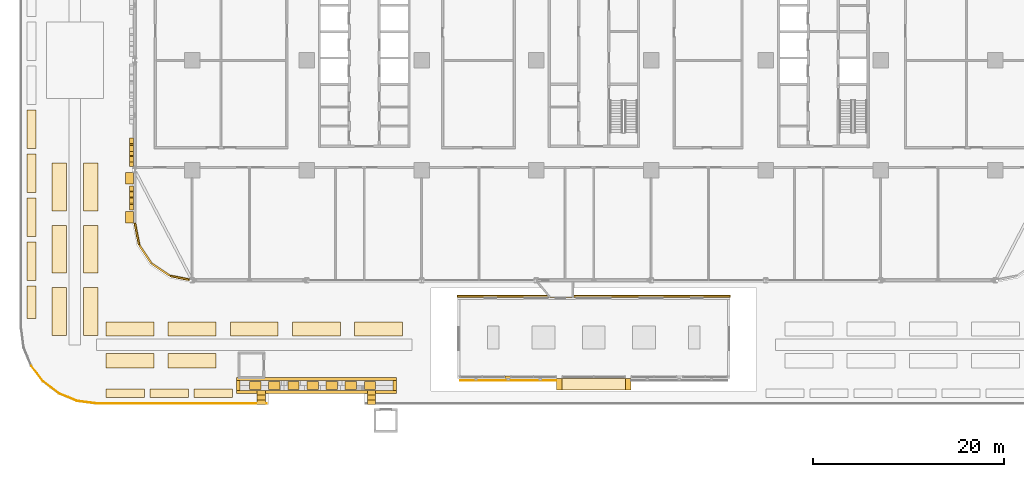
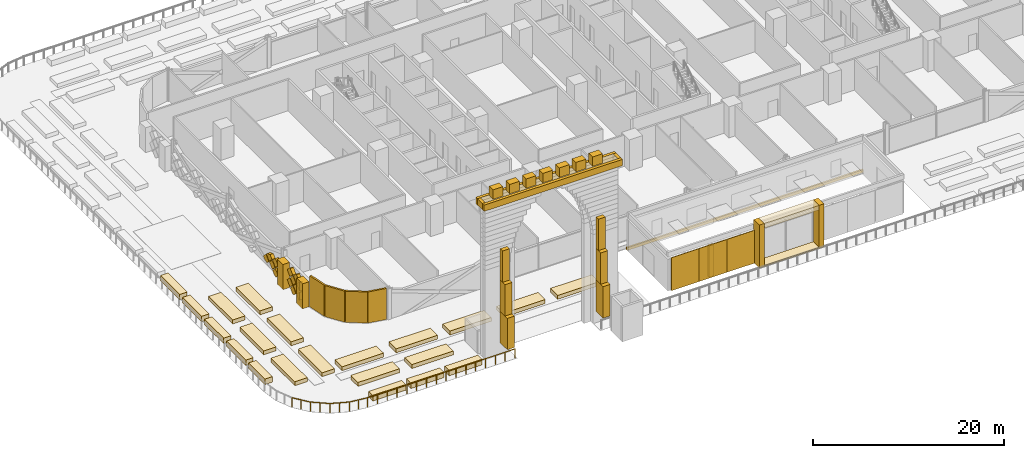
# One storey, part 28 of 39: 66 coverings, 1 railing.
"""IFC4 building model written with IfcOpenShell, lengths in metres."""

from ifc_helpers import new_model, si_unit, direction, frame, origin, origin_2d, place, context, subcontext, project, spatial, polyline, rectangle, circle, outline, extrude, material, layer, layer_set, type_object, element, save


model = new_model("IFC4")

# Units and contexts
model_context = context("Model", 3, precision=1e-05, world=origin(), true_north=direction((0.0, 1.0)))
body_context = subcontext(model_context, "Body", "Model", "MODEL_VIEW")
ifc_project = project(units=[si_unit("LENGTHUNIT", "METRE"), si_unit("AREAUNIT", "SQUARE_METRE"), si_unit("VOLUMEUNIT", "CUBIC_METRE"), si_unit("PLANEANGLEUNIT", "RADIAN"), si_unit("MASSUNIT", "GRAM", prefix="KILO")], contexts=[model_context])

# Site, building, storey
site_placement = place(None, origin())
site = spatial("IfcSite", under=ifc_project, at=site_placement, CompositionType="ELEMENT")
building_placement = place(site_placement, origin())
building = spatial("IfcBuilding", under=site, at=building_placement, Name="Mahtab Terrace Research Tower", CompositionType="ELEMENT")
storey_placement = place(building_placement, frame((0.0, 0.0, 7.199951171875)))
storey = spatial("IfcBuildingStorey", under=building, at=storey_placement, Name="L01", CompositionType="ELEMENT", Elevation=7.199951171875)

# Coverings
ifc_material_1 = material(Name="Black aluminium cladding panel", Category="aluminium")
ifc_layer_1 = layer(ifc_material_1, 0.199951171875)
ifc_layer_set_1 = layer_set([ifc_layer_1], Name="Black metal corner cladding 200")
covering_type_1 = type_object("IfcCoveringType", Name="Black metal corner cladding 200", PredefinedType="CLADDING", material=ifc_layer_set_1)
for number, where, z_axis, x_axis, name in (
    (1, (-47.771484375, -18.14794921875, 0.0), (0.0, 0.0, 1.0), (0.195212442692, -0.980760981187, 0.0), "Corner cladding L01 18"),
    (2, (-46.89306640625, -20.26953125, 0.0), (0.0, 0.0, 1.0), (0.555291490808, -0.831655794326, 0.0), "Corner cladding L01 19"),
    (3, (-45.26953125, -21.89306640625, 0.0), (0.0, 0.0, 1.0), (0.831655794326, -0.555291490808, 0.0), "Corner cladding L01 20"),
):
    element("IfcCovering", number, at=place(storey_placement, frame(where, z_axis=z_axis, x_axis=x_axis)), inside=storey, type_object=covering_type_1, Name=name, PredefinedType="CLADDING", context=body_context, shape_type="SweptSolid", body=[
        extrude(rectangle(XDim=2.30126953125, YDim=0.199951171875, at=origin_2d()), origin(), (0.0, 0.0, 1.0), 3.9599609375),
    ])
covering_1_placement = place(storey_placement, frame((-43.28173828125, -22.744873046875, 0.0), z_axis=(0.0, 0.0, 1.0), x_axis=(0.980760981187, -0.195212442692, 0.0)))
element("IfcCovering", 4, at=covering_1_placement, inside=storey, type_object=covering_type_1, Name="Corner cladding L01 21", PredefinedType="CLADDING", context=body_context, shape_type="SweptSolid", body=[
    extrude(rectangle(XDim=2.0283203125, YDim=0.199951171875, at=origin_2d()), origin(), (0.0, 0.0, 1.0), 3.9599609375),
])
ifc_material_2 = material(Name="Bronze anodised aluminium", Category="aluminium")
ifc_layer_2 = layer(ifc_material_2, 0.06005859375)
ifc_layer_set_2 = layer_set([ifc_layer_2], Name="Girih perforated screen panel")
covering_type_2 = type_object("IfcCoveringType", Name="Girih perforated screen panel", PredefinedType="CLADDING", material=ifc_layer_set_2)
for number, where, z_axis, x_axis, name in (
    (5, (-12.316650390625, -33.47998046875, 0.10009765625), (0.0, 0.0, 1.0), (1.0, 0.0, 0.0), "Girih screen panel 1"),
    (6, (-8.949951171875, -33.47998046875, 0.10009765625), (0.0, 0.0, 1.0), (1.0, 0.0, 0.0), "Girih screen panel 2"),
    (7, (-5.583251953125, -33.47998046875, 0.10009765625), (0.0, 0.0, 1.0), (1.0, 0.0, 0.0), "Girih screen panel 3"),
):
    element("IfcCovering", number, at=place(storey_placement, frame(where, z_axis=z_axis, x_axis=x_axis)), inside=storey, type_object=covering_type_2, Name=name, PredefinedType="CLADDING", context=body_context, shape_type="SweptSolid", body=[
        extrude(rectangle(XDim=3.32666015625, YDim=0.06005859375, at=origin_2d()), origin(), (0.0, 0.0, 1.0), 4.199951171875),
    ])
ifc_layer_3 = layer(ifc_material_2, 0.39990234375)
ifc_layer_set_3 = layer_set([ifc_layer_3], Name="Mashrabiya relief panel 400")
covering_type_3 = type_object("IfcCoveringType", Name="Mashrabiya relief panel 400", PredefinedType="CLADDING", material=ifc_layer_set_3)
covering_2_placement = place(storey_placement, frame((-48.14990234375, -8.118896484375, 1.25), z_axis=(1.0, 0.0, 0.0), x_axis=(0.0, -0.707106781187, 0.707106781187)))
element("IfcCovering", 8, at=covering_2_placement, inside=storey, type_object=covering_type_3, Name="Mashrabiya lattice cell L01 W16.11", PredefinedType="CLADDING", context=body_context, shape_type="SweptSolid", body=[
    extrude(outline(polyline([(0.0, 0.0), (0.8203543516109556, 0.0), (0.8203543516109556, 0.8203543516109556), (0.2404784536603664, 0.8201817181194551), (0.0, 0.29278640158505487), (0.0, 0.0)])), origin(), (0.0, 0.0, -1.0), 0.39990234375),
])
covering_3_placement = place(storey_placement, frame((-48.14990234375, -9.928955078125, 1.900146484375), z_axis=(1.0, 0.0, 0.0), x_axis=(0.0, 0.706957932274, -0.707255598772)))
element("IfcCovering", 9, at=covering_3_placement, inside=storey, type_object=covering_type_3, Name="Mashrabiya lattice cell L01 W16.12", PredefinedType="CLADDING", context=body_context, shape_type="SweptSolid", body=[
    extrude(outline(polyline([(0.0, 0.0), (0.8201817362875763, 0.0), (0.8200090664636573, 0.8203543334390104), (0.6263142932905577, 0.8203135641750295), (-0.00011249700649262895, 0.534473277846628), (0.0, 0.0)])), origin(), (0.0, 0.0, -1.0), 0.39990234375),
])
covering_4_placement = place(storey_placement, frame((-48.14990234375, -9.9990234375, 1.830078125), z_axis=(1.0, 0.0, 0.0), x_axis=(0.0, -0.707106781187, -0.707106781187)))
element("IfcCovering", 10, at=covering_4_placement, inside=storey, type_object=covering_type_3, Name="Mashrabiya lattice cell L01 W16.13", PredefinedType="CLADDING", context=body_context, shape_type="SweptSolid", body=[
    extrude(outline(polyline([(0.0, 0.0), (0.8203543516109556, 0.0), (0.820181718119455, 0.820181718119455), (0.0, 0.8203543516109556), (0.0, 0.0)])), origin(), (0.0, 0.0, -1.0), 0.39990234375),
])
covering_5_placement = place(storey_placement, frame((-48.14990234375, -10.069091796875, 0.60009765625), z_axis=(1.0, 0.0, 0.0), x_axis=(0.0, -0.707106781187, 0.707106781187)))
element("IfcCovering", 11, at=covering_5_placement, inside=storey, type_object=covering_type_3, Name="Mashrabiya lattice cell L01 W16.14", PredefinedType="CLADDING", context=body_context, shape_type="SweptSolid", body=[
    extrude(outline(polyline([(0.0, 0.0), (0.8200090846279543, 0.0), (0.8201817181194551, 0.660323104989879), (0.660323104989879, 0.8201817181194551), (0.16244811550208527, 0.820181718119455), (0.0, 0.4709441648136967), (0.0, 0.0)])), origin(), (0.0, 0.0, -1.0), 0.39990234375),
])
covering_6_placement = place(storey_placement, frame((-48.14990234375, -10.64892578125, 1.320068359375), z_axis=(1.0, 0.0, 0.0), x_axis=(0.0, 0.706957932274, 0.707255598772)))
element("IfcCovering", 12, at=covering_6_placement, inside=storey, type_object=covering_type_3, Name="Mashrabiya lattice cell L01 W16.15", PredefinedType="CLADDING", context=body_context, shape_type="SweptSolid", body=[
    extrude(outline(polyline([(0.0, 0.0), (0.8201817362875763, 0.0), (0.8203543334390104, 0.8200090664636573), (0.15985860958849407, 0.8201480889271073), (0.00013902246344993374, 0.6604957238505165), (0.0, 0.0)])), origin(), (0.0, 0.0, -1.0), 0.39990234375),
])
covering_7_placement = place(storey_placement, frame((-48.14990234375, -13.698974609375, 1.830078125), z_axis=(1.0, 0.0, 0.0), x_axis=(0.0, -0.707106781187, -0.707106781187)))
element("IfcCovering", 13, at=covering_7_placement, inside=storey, type_object=covering_type_3, Name="Mashrabiya lattice cell L01 W17.1", PredefinedType="CLADDING", context=body_context, shape_type="SweptSolid", body=[
    extrude(outline(polyline([(0.0, 0.0), (0.8203543516109556, 0.0), (0.820181718119455, 0.820181718119455), (0.0, 0.8203543516109556), (0.0, 0.0)])), origin(), (0.0, 0.0, -1.0), 0.39990234375),
])
covering_8_placement = place(storey_placement, frame((-48.14990234375, -14.279052734375, 2.550048828125), z_axis=(1.0, 0.0, 0.0), x_axis=(0.0, 0.707106781187, -0.707106781187)))
element("IfcCovering", 14, at=covering_8_placement, inside=storey, type_object=covering_type_3, Name="Mashrabiya lattice cell L01 W17.2", PredefinedType="CLADDING", context=body_context, shape_type="SweptSolid", body=[
    extrude(outline(polyline([(0.0, 0.0), (0.8203543516109556, 0.0), (0.8203543516109556, 0.8203543516109556), (0.087697813682316, 0.8203543516109556), (0.0, 0.7326565379286396), (0.0, 0.0)])), origin(), (0.0, 0.0, -1.0), 0.39990234375),
])
covering_9_placement = place(storey_placement, frame((-48.14990234375, -13.76904296875, 0.60009765625), z_axis=(1.0, 0.0, 0.0), x_axis=(0.0, -0.707255598772, 0.706957932274)))
element("IfcCovering", 15, at=covering_9_placement, inside=storey, type_object=covering_type_3, Name="Mashrabiya lattice cell L01 W17.3", PredefinedType="CLADDING", context=body_context, shape_type="SweptSolid", body=[
    extrude(outline(polyline([(0.0, 0.0), (0.8201817362875763, 0.0), (0.8203543334390104, 0.8200090664636573), (0.162793415215238, 0.8203201046986629), (-3.422874034753054e-05, 0.6575609908962573), (0.0, 0.0)])), origin(), (0.0, 0.0, -1.0), 0.39990234375),
])
covering_10_placement = place(storey_placement, frame((-48.14990234375, -14.34912109375, 2.47998046875), z_axis=(1.0, 0.0, 0.0), x_axis=(0.0, -0.707106781187, -0.707106781187)))
element("IfcCovering", 16, at=covering_10_placement, inside=storey, type_object=covering_type_3, Name="Mashrabiya lattice cell L01 W17.4", PredefinedType="CLADDING", context=body_context, shape_type="SweptSolid", body=[
    extrude(outline(polyline([(0.0, 0.0), (0.8200090846279543, 0.0), (0.820181718119455, 0.820181718119455), (-0.0001726334915006511, 0.820181718119455), (0.0, 0.0)])), origin(), (0.0, 0.0, -1.0), 0.39990234375),
])
covering_11_placement = place(storey_placement, frame((-48.14990234375, -14.9990234375, 1.830078125), z_axis=(1.0, 0.0, 0.0), x_axis=(0.0, -0.707106781187, -0.707106781187)))
element("IfcCovering", 17, at=covering_11_placement, inside=storey, type_object=covering_type_3, Name="Mashrabiya lattice cell L01 W17.5", PredefinedType="CLADDING", context=body_context, shape_type="SweptSolid", body=[
    extrude(outline(polyline([(0.0, 0.0), (0.8203543516109556, 0.0), (0.820181718119455, 0.820181718119455), (0.0, 0.8203543516109556), (0.0, 0.0)])), origin(), (0.0, 0.0, -1.0), 0.39990234375),
])
covering_12_placement = place(storey_placement, frame((-48.14990234375, -15.5791015625, 2.550048828125), z_axis=(1.0, 0.0, 0.0), x_axis=(0.0, 0.707106781187, -0.707106781187)))
element("IfcCovering", 18, at=covering_12_placement, inside=storey, type_object=covering_type_3, Name="Mashrabiya lattice cell L01 W17.6", PredefinedType="CLADDING", context=body_context, shape_type="SweptSolid", body=[
    extrude(outline(polyline([(0.0, 0.0), (0.8203543516109556, 0.0), (0.8203543516109556, 0.8203543516109556), (0.087697813682316, 0.8203543516109556), (0.0, 0.7326565379286396), (0.0, 0.0)])), origin(), (0.0, 0.0, -1.0), 0.39990234375),
])
covering_13_placement = place(storey_placement, frame((-48.14990234375, -15.069091796875, 0.60009765625), z_axis=(1.0, 0.0, 0.0), x_axis=(0.0, -0.707106781187, 0.707106781187)))
element("IfcCovering", 19, at=covering_13_placement, inside=storey, type_object=covering_type_3, Name="Mashrabiya lattice cell L01 W17.7", PredefinedType="CLADDING", context=body_context, shape_type="SweptSolid", body=[
    extrude(outline(polyline([(0.0, 0.0), (0.8200090846279543, 0.0), (0.820181718119455, 0.02261498738658152), (0.0925315514443334, 0.7502651540617031), (-0.0001726334915005956, 0.657560969125869), (0.0, 0.0)])), origin(), (0.0, 0.0, -1.0), 0.39990234375),
])
covering_14_placement = place(storey_placement, frame((-48.14990234375, -15.64892578125, 1.320068359375), z_axis=(1.0, 0.0, 0.0), x_axis=(0.0, 0.706957932274, 0.707255598772)))
element("IfcCovering", 20, at=covering_14_placement, inside=storey, type_object=covering_type_3, Name="Mashrabiya lattice cell L01 W17.8", PredefinedType="CLADDING", context=body_context, shape_type="SweptSolid", body=[
    extrude(outline(polyline([(0.0, 0.0), (0.8201817362875763, 0.0), (0.8203543334390104, 0.8200090664636573), (0.7977393828896235, 0.8201864599990892), (-0.00016787343992121818, 0.022615023221871693), (0.0, 0.0)])), origin(), (0.0, 0.0, -1.0), 0.39990234375),
])
ifc_material_3 = material(Name="Glazed ceramic tile cladding", Category="masonry")
ifc_layer_4 = layer(ifc_material_3, 0.800048828125)
ifc_layer_set_4 = layer_set([ifc_layer_4], Name="Pishtaq frame pier 800")
covering_type_4 = type_object("IfcCoveringType", Name="Pishtaq frame pier 800", PredefinedType="CLADDING", material=ifc_layer_set_4)
for number, where, z_axis, x_axis, name in (
    (21, (-48.550048828125, -12.34912109375, 0.00048828125), (0.0, 0.0, 1.0), (0.0, -1.0, 0.0), "Pishtaq frame pier 17a"),
    (22, (-48.550048828125, -16.39990234375, 0.00048828125), (0.0, 0.0, 1.0), (0.0, -1.0, 0.0), "Pishtaq frame pier 17b"),
):
    element("IfcCovering", number, at=place(storey_placement, frame(where, z_axis=z_axis, x_axis=x_axis)), inside=storey, type_object=covering_type_4, Name=name, PredefinedType="CLADDING", context=body_context, shape_type="SweptSolid", body=[
        extrude(rectangle(XDim=1.199951171875, YDim=0.800048828125, at=origin_2d()), origin(), (0.0, 0.0, 1.0), 3.202880859375),
    ])
ifc_material_4 = material(Name="Planting soil and shrubs")
ifc_layer_5 = layer(ifc_material_4, 0.1201171875)
ifc_layer_set_5 = layer_set([ifc_layer_5], Name="Planter")
covering_type_5 = type_object("IfcCoveringType", Name="Planter", PredefinedType="USERDEFINED", material=ifc_layer_set_5)
for number, where, z_axis, x_axis, name in (
    (23, (-58.800048828125, -7.199951171875, 0.0302734375), (0.0, 0.0, 1.0), (0.0, -1.0, 0.0), "PLANTER garden hedge"),
    (24, (-58.800048828125, -11.800048828125, 0.0302734375), (0.0, 0.0, 1.0), (0.0, -1.0, 0.0), "PLANTER garden hedge"),
    (25, (-58.800048828125, -16.39990234375, 0.0302734375), (0.0, 0.0, 1.0), (0.0, -1.0, 0.0), "PLANTER garden hedge"),
    (26, (-58.800048828125, -21.0, 0.0302734375), (0.0, 0.0, 1.0), (0.0, -1.0, 0.0), "PLANTER garden hedge"),
):
    element("IfcCovering", number, at=place(storey_placement, frame(where, z_axis=z_axis, x_axis=x_axis)), inside=storey, type_object=covering_type_5, Name=name, ObjectType="PLANTER", PredefinedType="USERDEFINED", context=body_context, shape_type="SweptSolid", body=[
        extrude(rectangle(XDim=4.0, YDim=0.89990234375, at=origin_2d()), origin(), (0.0, 0.0, 1.0), 0.699951171875),
    ])
covering_15_placement = place(storey_placement, frame((-58.800048828125, -25.300048828125, 0.0302734375), z_axis=(0.0, 0.0, 1.0), x_axis=(0.0, -1.0, 0.0)))
element("IfcCovering", 27, at=covering_15_placement, inside=storey, type_object=covering_type_5, Name="PLANTER garden hedge", ObjectType="PLANTER", PredefinedType="USERDEFINED", context=body_context, shape_type="SweptSolid", body=[
    extrude(rectangle(XDim=3.39990234375, YDim=0.89990234375, at=origin_2d()), origin(), (0.0, 0.0, 1.0), 0.699951171875),
])
for number, where, z_axis, x_axis, name in (
    (28, (-49.0, -34.800048828125, 0.0302734375), (0.0, 0.0, 1.0), (1.0, 0.0, 0.0), "PLANTER garden hedge"),
    (29, (-44.39990234375, -34.800048828125, 0.0302734375), (0.0, 0.0, 1.0), (1.0, 0.0, 0.0), "PLANTER garden hedge"),
    (30, (-39.800048828125, -34.800048828125, 0.0302734375), (0.0, 0.0, 1.0), (1.0, 0.0, 0.0), "PLANTER garden hedge"),
):
    element("IfcCovering", number, at=place(storey_placement, frame(where, z_axis=z_axis, x_axis=x_axis)), inside=storey, type_object=covering_type_5, Name=name, ObjectType="PLANTER", PredefinedType="USERDEFINED", context=body_context, shape_type="SweptSolid", body=[
        extrude(rectangle(XDim=4.0, YDim=0.89990234375, at=origin_2d()), origin(), (0.0, 0.0, 1.0), 0.699951171875),
    ])
for number, where, z_axis, x_axis, name in (
    (31, (-48.5, -31.39990234375, 0.030029296875), (0.0, 0.0, 1.0), (1.0, 0.0, 0.0), "PLANTER garden bed"),
    (32, (-48.5, -28.10009765625, 0.030029296875), (0.0, 0.0, 1.0), (1.0, 0.0, 0.0), "PLANTER garden bed"),
    (33, (-42.0, -31.39990234375, 0.030029296875), (0.0, 0.0, 1.0), (1.0, 0.0, 0.0), "PLANTER garden bed"),
    (34, (-42.0, -28.10009765625, 0.030029296875), (0.0, 0.0, 1.0), (1.0, 0.0, 0.0), "PLANTER garden bed"),
    (35, (-35.5, -28.10009765625, 0.030029296875), (0.0, 0.0, 1.0), (1.0, 0.0, 0.0), "PLANTER garden bed"),
    (36, (-29.0, -28.10009765625, 0.030029296875), (0.0, 0.0, 1.0), (1.0, 0.0, 0.0), "PLANTER garden bed"),
    (37, (-22.5, -28.10009765625, 0.030029296875), (0.0, 0.0, 1.0), (1.0, 0.0, 0.0), "PLANTER garden bed"),
):
    element("IfcCovering", number, at=place(storey_placement, frame(where, z_axis=z_axis, x_axis=x_axis)), inside=storey, type_object=covering_type_5, Name=name, ObjectType="PLANTER", PredefinedType="USERDEFINED", context=body_context, shape_type="SweptSolid", body=[
        extrude(rectangle(XDim=5.0, YDim=1.5, at=origin_2d()), origin(), (0.0, 0.0, 1.0), 0.5),
    ])
for number, where, z_axis, x_axis, name in (
    (38, (-55.89990234375, -26.25, 0.030029296875), (0.0, 0.0, 1.0), (1.0, 0.0, 0.0), "PLANTER garden bed"),
    (39, (-52.60009765625, -26.25, 0.030029296875), (0.0, 0.0, 1.0), (1.0, 0.0, 0.0), "PLANTER garden bed"),
    (40, (-55.89990234375, -19.75, 0.030029296875), (0.0, 0.0, 1.0), (1.0, 0.0, 0.0), "PLANTER garden bed"),
    (41, (-52.60009765625, -19.75, 0.030029296875), (0.0, 0.0, 1.0), (1.0, 0.0, 0.0), "PLANTER garden bed"),
    (42, (-55.89990234375, -13.25, 0.030029296875), (0.0, 0.0, 1.0), (1.0, 0.0, 0.0), "PLANTER garden bed"),
    (43, (-52.60009765625, -13.25, 0.030029296875), (0.0, 0.0, 1.0), (1.0, 0.0, 0.0), "PLANTER garden bed"),
):
    element("IfcCovering", number, at=place(storey_placement, frame(where, z_axis=z_axis, x_axis=x_axis)), inside=storey, type_object=covering_type_5, Name=name, ObjectType="PLANTER", PredefinedType="USERDEFINED", context=body_context, shape_type="SweptSolid", body=[
        extrude(rectangle(XDim=1.5, YDim=5.0, at=origin_2d()), origin(), (0.0, 0.0, 1.0), 0.5),
    ])
ifc_layer_6 = layer(ifc_material_3, 0.39990234375)
ifc_layer_set_6 = layer_set([ifc_layer_6], Name="Portal cornice and crest cladding 400")
covering_type_6 = type_object("IfcCoveringType", Name="Portal cornice and crest cladding 400", PredefinedType="CLADDING", material=ifc_layer_set_6)
for number, where, z_axis, x_axis, name in (
    (44, (-29.0, -34.675048828125, 19.2001953125), (0.0, 0.0, 1.0), (1.0, 0.0, 0.0), "Portal cornice PS1 in"),
    (45, (-29.0, -33.324951171875, 19.2001953125), (0.0, 0.0, 1.0), (1.0, 0.0, 0.0), "Portal cornice PS1 out"),
):
    element("IfcCovering", number, at=place(storey_placement, frame(where, z_axis=z_axis, x_axis=x_axis)), inside=storey, type_object=covering_type_6, Name=name, PredefinedType="CLADDING", context=body_context, shape_type="SweptSolid", body=[
        extrude(rectangle(XDim=16.699951171875, YDim=0.35009765625, at=origin_2d()), origin(), (0.0, 0.0, 1.0), 0.800048828125),
    ])
for number, where, z_axis, x_axis, name in (
    (46, (-37.175048828125, -34.0, 19.2001953125), (0.0, 0.0, 1.0), (1.0, 0.0, 0.0), "Portal cornice PS1 w"),
    (47, (-20.824951171875, -34.0, 19.2001953125), (0.0, 0.0, 1.0), (1.0, 0.0, 0.0), "Portal cornice PS1 e"),
):
    element("IfcCovering", number, at=place(storey_placement, frame(where, z_axis=z_axis, x_axis=x_axis)), inside=storey, type_object=covering_type_6, Name=name, PredefinedType="CLADDING", context=body_context, shape_type="SweptSolid", body=[
        extrude(rectangle(XDim=0.35009765625, YDim=1.0, at=origin_2d()), origin(), (0.0, 0.0, 1.0), 0.800048828125),
    ])
for number, where, z_axis, x_axis, name in (
    (48, (-35.39990234375, -34.0, 20.0), (0.0, 0.0, 1.0), (1.0, 0.0, 0.0), "Portal merlon PS1 1"),
    (49, (-33.39990234375, -34.0, 20.0), (0.0, 0.0, 1.0), (1.0, 0.0, 0.0), "Portal merlon PS1 2"),
    (50, (-31.39990234375, -34.0, 20.0), (0.0, 0.0, 1.0), (1.0, 0.0, 0.0), "Portal merlon PS1 3"),
    (51, (-29.39990234375, -34.0, 20.0), (0.0, 0.0, 1.0), (1.0, 0.0, 0.0), "Portal merlon PS1 4"),
    (52, (-27.39990234375, -34.0, 20.0), (0.0, 0.0, 1.0), (1.0, 0.0, 0.0), "Portal merlon PS1 5"),
    (53, (-25.39990234375, -34.0, 20.0), (0.0, 0.0, 1.0), (1.0, 0.0, 0.0), "Portal merlon PS1 6"),
    (54, (-23.39990234375, -34.0, 20.0), (0.0, 0.0, 1.0), (1.0, 0.0, 0.0), "Portal merlon PS1 7"),
):
    element("IfcCovering", number, at=place(storey_placement, frame(where, z_axis=z_axis, x_axis=x_axis)), inside=storey, type_object=covering_type_6, Name=name, PredefinedType="CLADDING", context=body_context, shape_type="SweptSolid", body=[
        extrude(rectangle(XDim=1.199951171875, YDim=0.800048828125, at=origin_2d()), origin(), (0.0, 0.0, 1.0), 1.199951171875),
    ])
ifc_material_5 = material(Name="Precast concrete C40/50", Category="concrete")
ifc_layer_7 = layer(ifc_material_5, 0.60009765625)
ifc_layer_set_7 = layer_set([ifc_layer_7], Name="Portal pier cladding")
covering_type_7 = type_object("IfcCoveringType", Name="Portal pier cladding", PredefinedType="CLADDING", material=ifc_layer_set_7)
covering_16_placement = place(storey_placement, frame((-9.0, -33.125, 0.0), z_axis=(0.0, 0.0, 1.0), x_axis=(1.0, 0.0, 0.0)))
element("IfcCovering", 55, at=covering_16_placement, inside=storey, type_object=covering_type_7, Name="Pavilion glazing pier W", PredefinedType="CLADDING", context=body_context, shape_type="SweptSolid", body=[
    extrude(rectangle(XDim=0.60009765625, YDim=0.25, at=origin_2d()), origin(), (0.0, 0.0, 1.0), 4.0),
])
for number, where, z_axis, x_axis, name in (
    (56, (-3.60009765625, -33.85009765625, 0.0), (0.0, 0.0, 1.0), (1.0, 0.0, 0.0), "Iwan portal pier W"),
    (57, (3.60009765625, -33.85009765625, 0.0), (0.0, 0.0, 1.0), (1.0, 0.0, 0.0), "Iwan portal pier E"),
):
    element("IfcCovering", number, at=place(storey_placement, frame(where, z_axis=z_axis, x_axis=x_axis)), inside=storey, type_object=covering_type_7, Name=name, PredefinedType="CLADDING", context=body_context, shape_type="SweptSolid", body=[
        extrude(rectangle(XDim=0.60009765625, YDim=1.199951171875, at=origin_2d()), origin(), (0.0, 0.0, 1.0), 5.5),
    ])
covering_17_placement = place(storey_placement, frame((0.0, -33.85009765625, 4.89990234375), z_axis=(0.0, 0.0, 1.0), x_axis=(1.0, 0.0, 0.0)))
element("IfcCovering", 58, at=covering_17_placement, inside=storey, type_object=covering_type_7, Name="Iwan portal lintel", PredefinedType="CLADDING", context=body_context, shape_type="SweptSolid", body=[
    extrude(rectangle(XDim=6.60009765625, YDim=1.199951171875, at=origin_2d()), origin(), (0.0, 0.0, 1.0), 0.60009765625),
])
covering_18_placement = place(storey_placement, frame((0.0, -24.64990234375, 0.0), z_axis=(0.0, 0.0, 1.0), x_axis=(1.0, 0.0, 0.0)))
element("IfcCovering", 59, at=covering_18_placement, inside=storey, type_object=covering_type_7, Name="Pavilion plinth course", PredefinedType="CLADDING", context=body_context, shape_type="SweptSolid", body=[
    extrude(rectangle(XDim=28.5, YDim=0.199951171875, at=origin_2d()), origin(), (0.0, 0.0, 1.0), 0.35009765625),
])
covering_19_placement = place(storey_placement, frame((0.0, -33.85009765625, 0.0), z_axis=(0.0, 0.0, 1.0), x_axis=(1.0, 0.0, 0.0)))
element("IfcCovering", 60, at=covering_19_placement, inside=storey, type_object=covering_type_7, Name="Pavilion entrance step", PredefinedType="CLADDING", context=body_context, shape_type="SweptSolid", body=[
    extrude(rectangle(XDim=6.60009765625, YDim=1.199951171875, at=origin_2d()), origin(), (0.0, 0.0, 1.0), 0.14990234375),
])
ifc_layer_8 = layer(ifc_material_3, 0.85009765625)
ifc_layer_set_8 = layer_set([ifc_layer_8], Name="Stair cheek cladding 850")
covering_type_8 = type_object("IfcCoveringType", Name="Stair cheek cladding 850", PredefinedType="CLADDING", material=ifc_layer_set_8)
covering_20_placement = place(storey_placement, frame((-34.77490234375, -35.25, 1.5), z_axis=(0.0, 0.0, 1.0), x_axis=(1.0, 0.0, 0.0)))
element("IfcCovering", 61, at=covering_20_placement, inside=storey, type_object=covering_type_8, Name="Portal shoulder PS1W1", PredefinedType="CLADDING", context=body_context, shape_type="SweptSolid", body=[
    extrude(rectangle(XDim=0.85009765625, YDim=1.5, at=origin_2d()), origin(), (0.0, 0.0, 1.0), 4.0),
])
covering_21_placement = place(storey_placement, frame((-34.77490234375, -35.0, 5.5), z_axis=(0.0, 0.0, 1.0), x_axis=(1.0, 0.0, 0.0)))
element("IfcCovering", 62, at=covering_21_placement, inside=storey, type_object=covering_type_8, Name="Portal shoulder PS1W2", PredefinedType="CLADDING", context=body_context, shape_type="SweptSolid", body=[
    extrude(rectangle(XDim=0.85009765625, YDim=1.0, at=origin_2d()), origin(), (0.0, 0.0, 1.0), 4.0),
])
covering_22_placement = place(storey_placement, frame((-34.77490234375, -34.75, 9.5), z_axis=(0.0, 0.0, 1.0), x_axis=(1.0, 0.0, 0.0)))
element("IfcCovering", 63, at=covering_22_placement, inside=storey, type_object=covering_type_8, Name="Portal shoulder PS1W3", PredefinedType="CLADDING", context=body_context, shape_type="SweptSolid", body=[
    extrude(rectangle(XDim=0.85009765625, YDim=0.5, at=origin_2d()), origin(), (0.0, 0.0, 1.0), 4.0),
])
covering_23_placement = place(storey_placement, frame((-23.22509765625, -35.25, 1.5), z_axis=(0.0, 0.0, 1.0), x_axis=(1.0, 0.0, 0.0)))
element("IfcCovering", 64, at=covering_23_placement, inside=storey, type_object=covering_type_8, Name="Portal shoulder PS1E1", PredefinedType="CLADDING", context=body_context, shape_type="SweptSolid", body=[
    extrude(rectangle(XDim=0.85009765625, YDim=1.5, at=origin_2d()), origin(), (0.0, 0.0, 1.0), 4.0),
])
covering_24_placement = place(storey_placement, frame((-23.22509765625, -35.0, 5.5), z_axis=(0.0, 0.0, 1.0), x_axis=(1.0, 0.0, 0.0)))
element("IfcCovering", 65, at=covering_24_placement, inside=storey, type_object=covering_type_8, Name="Portal shoulder PS1E2", PredefinedType="CLADDING", context=body_context, shape_type="SweptSolid", body=[
    extrude(rectangle(XDim=0.85009765625, YDim=1.0, at=origin_2d()), origin(), (0.0, 0.0, 1.0), 4.0),
])
covering_25_placement = place(storey_placement, frame((-23.22509765625, -34.75, 9.5), z_axis=(0.0, 0.0, 1.0), x_axis=(1.0, 0.0, 0.0)))
element("IfcCovering", 66, at=covering_25_placement, inside=storey, type_object=covering_type_8, Name="Portal shoulder PS1E3", PredefinedType="CLADDING", context=body_context, shape_type="SweptSolid", body=[
    extrude(rectangle(XDim=0.85009765625, YDim=0.5, at=origin_2d()), origin(), (0.0, 0.0, 1.0), 4.0),
])

# Railing
ifc_material_6 = material(Name="Black anodised aluminium", Category="aluminium")
railing_type = type_object("IfcRailingType", Name="Terrace guard 1200", PredefinedType="GUARDRAIL", material=ifc_material_6)
railing_placement = place(storey_placement, frame((-34.199951171875, -35.8798828125, 0.030029296875)))
element("IfcRailing", 67, at=railing_placement, inside=storey, type_object=railing_type, Name="Garden deck guard 3", PredefinedType="GUARDRAIL", context=body_context, shape_type="SweptSolid", body=[
    extrude(circle(Radius=0.030029296875, at=origin_2d()), frame((0.0, 0.0, 1.169921875), z_axis=(-1.0, 0.0, 0.0), x_axis=(0.0, -1.0, 0.0)), (0.0, 0.0, 1.0), 17.7919921875),
    extrude(circle(Radius=0.030029296875, at=origin_2d()), frame((-17.7919921875, 0.0, 1.169921875), z_axis=(-0.991436184468, 0.130592082946, 0.0), x_axis=(-0.130592082946, -0.991436184468, 0.0)), (0.0, 0.0, 1.0), 2.065673828125),
    extrude(circle(Radius=0.030029296875, at=origin_2d()), frame((-19.840087890625, 0.269775390625, 1.169921875), z_axis=(-0.923785153958, 0.382911202926, 0.0), x_axis=(-0.382911202926, -0.923785153958, 0.0)), (0.0, 0.0, 1.0), 2.0556640625),
    extrude(circle(Radius=0.030029296875, at=origin_2d()), frame((-21.739013671875, 1.056884765625, 1.169921875), z_axis=(-0.793443954211, 0.608643320448, 0.0), x_axis=(-0.608643320448, -0.793443954211, 0.0)), (0.0, 0.0, 1.0), 2.056884765625),
    extrude(circle(Radius=0.030029296875, at=origin_2d()), frame((-23.37109375, 2.308837890625, 1.169921875), z_axis=(-0.608643320448, 0.793443954211, 0.0), x_axis=(-0.793443954211, -0.608643320448, 0.0)), (0.0, 0.0, 1.0), 2.056884765625),
    extrude(circle(Radius=0.02490234375, at=origin_2d()), origin(), (0.0, 0.0, 1.0), 1.139892578125),
    extrude(circle(Radius=0.02490234375, at=origin_2d()), frame((-1.18603515625, 0.0, 0.0)), (0.0, 0.0, 1.0), 1.139892578125),
    extrude(circle(Radius=0.02490234375, at=origin_2d()), frame((-2.372314453125, 0.0, 0.0)), (0.0, 0.0, 1.0), 1.139892578125),
    extrude(circle(Radius=0.02490234375, at=origin_2d()), frame((-3.558349609375, 0.0, 0.0)), (0.0, 0.0, 1.0), 1.139892578125),
    extrude(circle(Radius=0.02490234375, at=origin_2d()), frame((-4.74462890625, 0.0, 0.0)), (0.0, 0.0, 1.0), 1.139892578125),
    extrude(circle(Radius=0.02490234375, at=origin_2d()), frame((-5.9306640625, 0.0, 0.0)), (0.0, 0.0, 1.0), 1.139892578125),
    extrude(circle(Radius=0.02490234375, at=origin_2d()), frame((-7.11669921875, 0.0, 0.0)), (0.0, 0.0, 1.0), 1.139892578125),
    extrude(circle(Radius=0.02490234375, at=origin_2d()), frame((-8.302978515625, 0.0, 0.0)), (0.0, 0.0, 1.0), 1.139892578125),
    extrude(circle(Radius=0.02490234375, at=origin_2d()), frame((-9.489013671875, 0.0, 0.0)), (0.0, 0.0, 1.0), 1.139892578125),
    extrude(circle(Radius=0.02490234375, at=origin_2d()), frame((-10.67529296875, 0.0, 0.0)), (0.0, 0.0, 1.0), 1.139892578125),
    extrude(circle(Radius=0.02490234375, at=origin_2d()), frame((-11.861328125, 0.0, 0.0)), (0.0, 0.0, 1.0), 1.139892578125),
    extrude(circle(Radius=0.02490234375, at=origin_2d()), frame((-13.04736328125, 0.0, 0.0)), (0.0, 0.0, 1.0), 1.139892578125),
    extrude(circle(Radius=0.02490234375, at=origin_2d()), frame((-14.233642578125, 0.0, 0.0)), (0.0, 0.0, 1.0), 1.139892578125),
    extrude(circle(Radius=0.02490234375, at=origin_2d()), frame((-15.419677734375, 0.0, 0.0)), (0.0, 0.0, 1.0), 1.139892578125),
    extrude(circle(Radius=0.02490234375, at=origin_2d()), frame((-16.60595703125, 0.0, 0.0)), (0.0, 0.0, 1.0), 1.139892578125),
    extrude(circle(Radius=0.02490234375, at=origin_2d()), frame((-17.7919921875, 0.0, 0.0)), (0.0, 0.0, 1.0), 1.139892578125),
    extrude(circle(Radius=0.02490234375, at=origin_2d()), frame((-18.81591796875, 0.134765625, 0.0)), (0.0, 0.0, 1.0), 1.139892578125),
    extrude(circle(Radius=0.02490234375, at=origin_2d()), frame((-19.840087890625, 0.269775390625, 0.0)), (0.0, 0.0, 1.0), 1.139892578125),
    extrude(circle(Radius=0.02490234375, at=origin_2d()), frame((-20.78955078125, 0.663330078125, 0.0)), (0.0, 0.0, 1.0), 1.139892578125),
    extrude(circle(Radius=0.02490234375, at=origin_2d()), frame((-21.739013671875, 1.056884765625, 0.0)), (0.0, 0.0, 1.0), 1.139892578125),
    extrude(circle(Radius=0.02490234375, at=origin_2d()), frame((-22.55517578125, 1.682861328125, 0.0)), (0.0, 0.0, 1.0), 1.139892578125),
    extrude(circle(Radius=0.02490234375, at=origin_2d()), frame((-23.37109375, 2.308837890625, 0.0)), (0.0, 0.0, 1.0), 1.139892578125),
    extrude(circle(Radius=0.02490234375, at=origin_2d()), frame((-23.9970703125, 3.125, 0.0)), (0.0, 0.0, 1.0), 1.139892578125),
    extrude(circle(Radius=0.02490234375, at=origin_2d()), frame((-24.623046875, 3.94091796875, 0.0)), (0.0, 0.0, 1.0), 1.139892578125),
])

save(model, "model.ifc")
